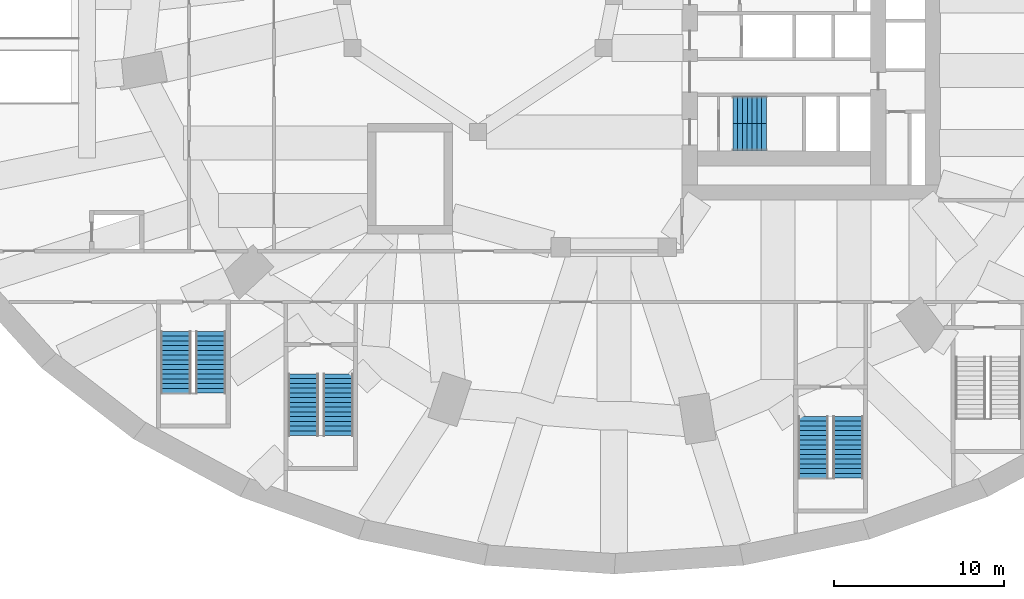
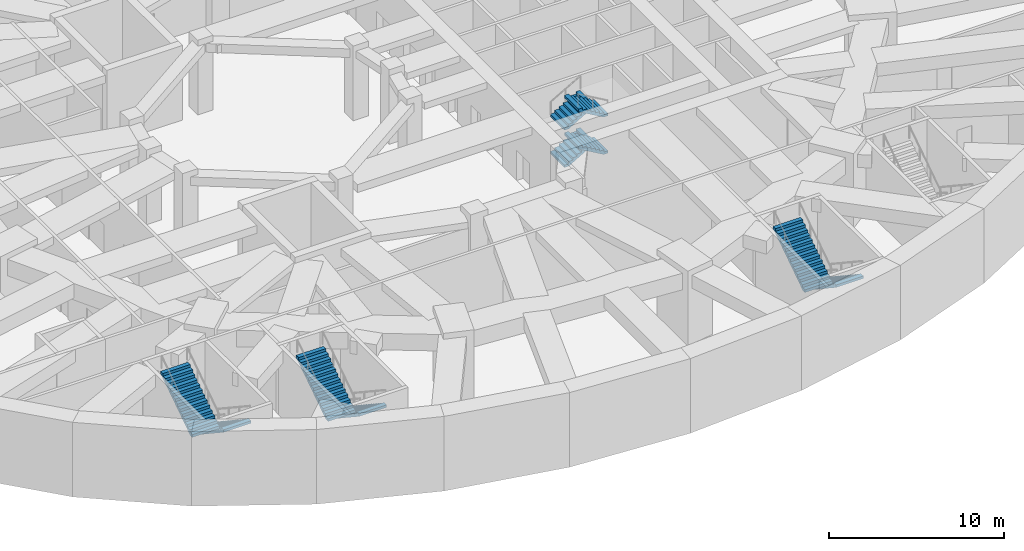
# One storey, part 9 of 14: 10 stair flights, 4 elements without a shape of their own.
"""IFC4 building model written with IfcOpenShell, lengths in metres."""

from ifc_helpers import new_model, si_unit, direction, frame, origin, place, context, subcontext, project, spatial, polyline, outline, extrude, material, type_object, element, aggregate, save


model = new_model("IFC4")

# Units and contexts
model_context = context("Model", 3, precision=1e-05, world=origin(), true_north=direction((0.0, 1.0)))
body_context = subcontext(model_context, "Body", "Model", "MODEL_VIEW")
ifc_project = project(units=[si_unit("LENGTHUNIT", "METRE"), si_unit("AREAUNIT", "SQUARE_METRE"), si_unit("VOLUMEUNIT", "CUBIC_METRE"), si_unit("PLANEANGLEUNIT", "RADIAN"), si_unit("MASSUNIT", "GRAM", prefix="KILO")], contexts=[model_context])

# Site, building, storey
site_placement = place(None, origin())
site = spatial("IfcSite", under=ifc_project, at=site_placement, CompositionType="ELEMENT")
building_placement = place(site_placement, origin())
building = spatial("IfcBuilding", under=site, at=building_placement, Name="Taillehof Tower", CompositionType="ELEMENT")
storey_placement = place(building_placement, frame((0.0, 0.0, -5.199951171875)))
storey = spatial("IfcBuildingStorey", under=building, at=storey_placement, Name="B1", CompositionType="ELEMENT", Elevation=-5.199951171875)

# Stair, stair flights
ifc_material_1 = material(Name="Concrete C40/50", Category="concrete")
stair_type_1 = type_object("IfcStairType", Name="Exit stair half-turn", PredefinedType="HALF_TURN_STAIR", material=ifc_material_1)
stair_1_placement = place(storey_placement, origin())
stair_1 = element("IfcStair", 1, at=stair_1_placement, inside=storey, type_object=stair_type_1, Name="Exit stair S2", PredefinedType="HALF_TURN_STAIR")
ifc_material_2 = material(Name="Concrete C40/50", Category="concrete")
stair_flight_type_1 = type_object("IfcStairFlightType", Name="Stair flight 1600 riser 162.5 going 280", PredefinedType="STRAIGHT", material=ifc_material_2)
stair_flight_1_placement = place(storey_placement, frame((7.0, -6.699951171875, 0.0), z_axis=(0.0, 0.0, 1.0), x_axis=(1.0, 0.0, 0.0)))
stair_flight_1 = element("IfcStairFlight", 2, at=stair_flight_1_placement, type_object=stair_flight_type_1, Name="S2 flight 1", NumberOfRisers=8, NumberOfTreads=7, PredefinedType="STRAIGHT", RiserHeight=0.1625, TreadLength=0.28, context=body_context, shape_type="SweptSolid", body=[
    extrude(outline(polyline([(0.0, 0.0), (0.0, 0.006591796875), (0.0, 0.012939453125), (0.0, 0.01953125), (0.0, 0.02587890625), (0.0, 0.032470703125), (0.0, 0.0390625), (0.0, 0.04541015625), (0.0, 0.052001953125), (0.0, 0.05859375), (0.0, 0.06494140625), (0.0, 0.071533203125), (0.0, 0.077880859375), (0.0, 0.08447265625), (0.0, 0.091064453125), (0.0, 0.097412109375), (0.0, 0.10400390625), (0.0, 0.110595703125), (0.0, 0.116943359375), (0.0, 0.12353515625), (0.0, 0.1298828125), (0.0, 0.136474609375), (0.0, 0.14306640625), (0.0, 0.1494140625), (0.0, 0.156005859375), (0.0, 0.16259765625), (0.280029296875, 0.16259765625), (0.280029296875, 0.324951171875), (0.56005859375, 0.324951171875), (0.56005859375, 0.487548828125), (0.840087890625, 0.487548828125), (0.840087890625, 0.64990234375), (1.1201171875, 0.64990234375), (1.1201171875, 0.8125), (1.39990234375, 0.8125), (1.39990234375, 0.97509765625), (1.679931640625, 0.97509765625), (1.679931640625, 1.137451171875), (1.9599609375, 1.137451171875), (1.9599609375, 1.130615234375), (1.9599609375, 1.12353515625), (1.9599609375, 1.11669921875), (1.9599609375, 1.10986328125), (1.9599609375, 1.102783203125), (1.9599609375, 1.095947265625), (1.9599609375, 1.0888671875), (1.9599609375, 1.08203125), (1.9599609375, 1.0751953125), (1.9599609375, 1.068115234375), (1.9599609375, 1.061279296875), (1.9599609375, 1.05419921875), (1.9599609375, 1.04736328125), (1.9599609375, 1.04052734375), (1.9599609375, 1.033447265625), (1.9599609375, 1.026611328125), (1.9599609375, 1.01953125), (1.9599609375, 1.0126953125), (1.9599609375, 1.005859375), (1.9599609375, 0.998779296875), (1.9599609375, 0.991943359375), (1.9599609375, 0.98486328125), (1.9599609375, 0.97802734375), (1.9599609375, 0.97119140625), (1.9599609375, 0.964111328125), (0.298583984375, 0.0), (0.0, 0.0)])), frame((0.0, 0.800048828125, 0.0), z_axis=(0.0, -1.0, 0.0), x_axis=(1.0, 0.0, 0.0)), (0.0, 0.0, 1.0), 1.6),
])
stair_flight_2_placement = place(storey_placement, frame((8.9599609375, -8.300048828125, 1.300048828125), z_axis=(0.0, 0.0, 1.0), x_axis=(-1.0, 0.0, 0.0)))
stair_flight_2 = element("IfcStairFlight", 3, at=stair_flight_2_placement, type_object=stair_flight_type_1, Name="S2 flight 2", NumberOfRisers=8, NumberOfTreads=7, PredefinedType="STRAIGHT", RiserHeight=0.1625, TreadLength=0.28, context=body_context, shape_type="SweptSolid", body=[
    extrude(outline(polyline([(0.0, 0.0), (0.0, 0.006591796875), (0.0, 0.012939453125), (0.0, 0.01953125), (0.0, 0.02587890625), (0.0, 0.032470703125), (0.0, 0.0390625), (0.0, 0.04541015625), (0.0, 0.052001953125), (0.0, 0.05859375), (0.0, 0.06494140625), (0.0, 0.071533203125), (0.0, 0.077880859375), (0.0, 0.08447265625), (0.0, 0.091064453125), (0.0, 0.097412109375), (0.0, 0.10400390625), (0.0, 0.110595703125), (0.0, 0.116943359375), (0.0, 0.12353515625), (0.0, 0.1298828125), (0.0, 0.136474609375), (0.0, 0.14306640625), (0.0, 0.1494140625), (0.0, 0.156005859375), (0.0, 0.16259765625), (0.280029296875, 0.16259765625), (0.280029296875, 0.324951171875), (0.56005859375, 0.324951171875), (0.56005859375, 0.487548828125), (0.840087890625, 0.487548828125), (0.840087890625, 0.64990234375), (1.1201171875, 0.64990234375), (1.1201171875, 0.8125), (1.39990234375, 0.8125), (1.39990234375, 0.97509765625), (1.679931640625, 0.97509765625), (1.679931640625, 1.137451171875), (1.9599609375, 1.137451171875), (1.9599609375, 1.130615234375), (1.9599609375, 1.12353515625), (1.9599609375, 1.11669921875), (1.9599609375, 1.10986328125), (1.9599609375, 1.102783203125), (1.9599609375, 1.095947265625), (1.9599609375, 1.0888671875), (1.9599609375, 1.08203125), (1.9599609375, 1.0751953125), (1.9599609375, 1.068115234375), (1.9599609375, 1.061279296875), (1.9599609375, 1.05419921875), (1.9599609375, 1.04736328125), (1.9599609375, 1.04052734375), (1.9599609375, 1.033447265625), (1.9599609375, 1.026611328125), (1.9599609375, 1.01953125), (1.9599609375, 1.0126953125), (1.9599609375, 1.005859375), (1.9599609375, 0.998779296875), (1.9599609375, 0.991943359375), (1.9599609375, 0.98486328125), (1.9599609375, 0.97802734375), (1.9599609375, 0.97119140625), (1.9599609375, 0.964111328125), (0.298583984375, 0.0), (0.0, 0.0)])), frame((0.0, 0.800048828125, 0.0), z_axis=(0.0, -1.0, 0.0), x_axis=(1.0, 0.0, 0.0)), (0.0, 0.0, 1.0), 1.6),
])
stair_flight_3_placement = place(storey_placement, frame((7.0, -6.699951171875, 2.599853515625), z_axis=(0.0, 0.0, 1.0), x_axis=(1.0, 0.0, 0.0)))
stair_flight_3 = element("IfcStairFlight", 4, at=stair_flight_3_placement, type_object=stair_flight_type_1, Name="S2 flight 3", NumberOfRisers=8, NumberOfTreads=7, PredefinedType="STRAIGHT", RiserHeight=0.1625, TreadLength=0.28, context=body_context, shape_type="SweptSolid", body=[
    extrude(outline(polyline([(0.0, 0.0), (0.0, 0.006591796875), (0.0, 0.012939453125), (0.0, 0.01953125), (0.0, 0.02587890625), (0.0, 0.032470703125), (0.0, 0.0390625), (0.0, 0.04541015625), (0.0, 0.052001953125), (0.0, 0.05859375), (0.0, 0.06494140625), (0.0, 0.071533203125), (0.0, 0.077880859375), (0.0, 0.08447265625), (0.0, 0.091064453125), (0.0, 0.097412109375), (0.0, 0.10400390625), (0.0, 0.110595703125), (0.0, 0.116943359375), (0.0, 0.12353515625), (0.0, 0.1298828125), (0.0, 0.136474609375), (0.0, 0.14306640625), (0.0, 0.1494140625), (0.0, 0.156005859375), (0.0, 0.16259765625), (0.280029296875, 0.16259765625), (0.280029296875, 0.324951171875), (0.56005859375, 0.324951171875), (0.56005859375, 0.487548828125), (0.840087890625, 0.487548828125), (0.840087890625, 0.64990234375), (1.1201171875, 0.64990234375), (1.1201171875, 0.8125), (1.39990234375, 0.8125), (1.39990234375, 0.97509765625), (1.679931640625, 0.97509765625), (1.679931640625, 1.137451171875), (1.9599609375, 1.137451171875), (1.9599609375, 1.130615234375), (1.9599609375, 1.12353515625), (1.9599609375, 1.11669921875), (1.9599609375, 1.10986328125), (1.9599609375, 1.102783203125), (1.9599609375, 1.095947265625), (1.9599609375, 1.0888671875), (1.9599609375, 1.08203125), (1.9599609375, 1.0751953125), (1.9599609375, 1.068115234375), (1.9599609375, 1.061279296875), (1.9599609375, 1.05419921875), (1.9599609375, 1.04736328125), (1.9599609375, 1.04052734375), (1.9599609375, 1.033447265625), (1.9599609375, 1.026611328125), (1.9599609375, 1.01953125), (1.9599609375, 1.0126953125), (1.9599609375, 1.005859375), (1.9599609375, 0.998779296875), (1.9599609375, 0.991943359375), (1.9599609375, 0.98486328125), (1.9599609375, 0.97802734375), (1.9599609375, 0.97119140625), (1.9599609375, 0.964111328125), (0.298583984375, 0.0), (0.0, 0.0)])), frame((0.0, 0.800048828125, 0.0), z_axis=(0.0, -1.0, 0.0), x_axis=(1.0, 0.0, 0.0)), (0.0, 0.0, 1.0), 1.6),
])
stair_flight_4_placement = place(storey_placement, frame((8.9599609375, -8.300048828125, 3.89990234375), z_axis=(0.0, 0.0, 1.0), x_axis=(-1.0, 0.0, 0.0)))
stair_flight_4 = element("IfcStairFlight", 5, at=stair_flight_4_placement, type_object=stair_flight_type_1, Name="S2 flight 4", NumberOfRisers=8, NumberOfTreads=7, PredefinedType="STRAIGHT", RiserHeight=0.1625, TreadLength=0.28, context=body_context, shape_type="SweptSolid", body=[
    extrude(outline(polyline([(0.0, 0.0), (0.0, 0.006591796875), (0.0, 0.012939453125), (0.0, 0.01953125), (0.0, 0.02587890625), (0.0, 0.032470703125), (0.0, 0.0390625), (0.0, 0.04541015625), (0.0, 0.052001953125), (0.0, 0.05859375), (0.0, 0.06494140625), (0.0, 0.071533203125), (0.0, 0.077880859375), (0.0, 0.08447265625), (0.0, 0.091064453125), (0.0, 0.097412109375), (0.0, 0.10400390625), (0.0, 0.110595703125), (0.0, 0.116943359375), (0.0, 0.12353515625), (0.0, 0.1298828125), (0.0, 0.136474609375), (0.0, 0.14306640625), (0.0, 0.1494140625), (0.0, 0.156005859375), (0.0, 0.16259765625), (0.280029296875, 0.16259765625), (0.280029296875, 0.324951171875), (0.56005859375, 0.324951171875), (0.56005859375, 0.487548828125), (0.840087890625, 0.487548828125), (0.840087890625, 0.64990234375), (1.1201171875, 0.64990234375), (1.1201171875, 0.8125), (1.39990234375, 0.8125), (1.39990234375, 0.97509765625), (1.679931640625, 0.97509765625), (1.679931640625, 1.137451171875), (1.9599609375, 1.137451171875), (1.9599609375, 1.130615234375), (1.9599609375, 1.12353515625), (1.9599609375, 1.11669921875), (1.9599609375, 1.10986328125), (1.9599609375, 1.102783203125), (1.9599609375, 1.095947265625), (1.9599609375, 1.0888671875), (1.9599609375, 1.08203125), (1.9599609375, 1.0751953125), (1.9599609375, 1.068115234375), (1.9599609375, 1.061279296875), (1.9599609375, 1.05419921875), (1.9599609375, 1.04736328125), (1.9599609375, 1.04052734375), (1.9599609375, 1.033447265625), (1.9599609375, 1.026611328125), (1.9599609375, 1.01953125), (1.9599609375, 1.0126953125), (1.9599609375, 1.005859375), (1.9599609375, 0.998779296875), (1.9599609375, 0.991943359375), (1.9599609375, 0.98486328125), (1.9599609375, 0.97802734375), (1.9599609375, 0.97119140625), (1.9599609375, 0.964111328125), (0.298583984375, 0.0), (0.0, 0.0)])), frame((0.0, 0.800048828125, 0.0), z_axis=(0.0, -1.0, 0.0), x_axis=(1.0, 0.0, 0.0)), (0.0, 0.0, 1.0), 1.6),
])
aggregate(stair_1, [stair_flight_1, stair_flight_2, stair_flight_3, stair_flight_4])

ifc_material_3 = material(Name="Concrete C30/37", Category="concrete")
stair_type_2 = type_object("IfcStairType", Name="Escape stair 1800 mm", PredefinedType="HALF_TURN_STAIR", material=ifc_material_3)
stair_2_placement = place(storey_placement, origin())
stair_2 = element("IfcStair", 6, at=stair_2_placement, inside=storey, type_object=stair_type_2, Name="Escape stair ES2", PredefinedType="HALF_TURN_STAIR")
ifc_material_4 = material(Name="Concrete C30/37", Category="concrete")
stair_flight_type_2 = type_object("IfcStairFlightType", Name="Stair flight 1800 mm", PredefinedType="STRAIGHT", material=ifc_material_4)
stair_flight_5_placement = place(storey_placement, frame((-23.72509765625, -19.72509765625, 0.0), z_axis=(0.0, 0.0, 1.0), x_axis=(0.0, -1.0, 0.0)))
stair_flight_5 = element("IfcStairFlight", 7, at=stair_flight_5_placement, type_object=stair_flight_type_2, Name="ES2 flight 1", NumberOfRisers=14, NumberOfTreads=13, PredefinedType="STRAIGHT", RiserHeight=0.185714286, TreadLength=0.28, context=body_context, shape_type="SweptSolid", body=[
    extrude(outline(polyline([(0.0, 0.0), (0.0, 0.00439453125), (0.0, 0.008544921875), (0.0, 0.012939453125), (0.0, 0.017333984375), (0.0, 0.021484375), (0.0, 0.02587890625), (0.0, 0.0302734375), (0.0, 0.03466796875), (0.0, 0.038818359375), (0.0, 0.043212890625), (0.0, 0.047607421875), (0.0, 0.0517578125), (0.0, 0.05615234375), (0.0, 0.060546875), (0.0, 0.064697265625), (0.0, 0.069091796875), (0.0, 0.073486328125), (0.0, 0.07763671875), (0.0, 0.08203125), (0.0, 0.08642578125), (0.0, 0.090576171875), (0.0, 0.094970703125), (0.0, 0.099365234375), (0.0, 0.103759765625), (0.0, 0.10791015625), (0.0, 0.1123046875), (0.0, 0.11669921875), (0.0, 0.120849609375), (0.0, 0.125244140625), (0.0, 0.129638671875), (0.0, 0.1337890625), (0.0, 0.13818359375), (0.0, 0.142578125), (0.0, 0.146728515625), (0.0, 0.151123046875), (0.0, 0.155517578125), (0.0, 0.159912109375), (0.0, 0.1640625), (0.0, 0.16845703125), (0.0, 0.1728515625), (0.0, 0.177001953125), (0.0, 0.181396484375), (0.0, 0.185791015625), (0.280029296875, 0.185791015625), (0.280029296875, 0.371337890625), (0.56005859375, 0.371337890625), (0.56005859375, 0.55712890625), (0.840087890625, 0.55712890625), (0.840087890625, 0.742919921875), (1.1201171875, 0.742919921875), (1.1201171875, 0.928466796875), (1.39990234375, 0.928466796875), (1.39990234375, 1.1142578125), (1.679931640625, 1.1142578125), (1.679931640625, 1.300048828125), (1.9599609375, 1.300048828125), (1.9599609375, 1.485595703125), (2.239990234375, 1.485595703125), (2.239990234375, 1.67138671875), (2.52001953125, 1.67138671875), (2.52001953125, 1.857177734375), (2.800048828125, 1.857177734375), (2.800048828125, 2.04296875), (3.080078125, 2.04296875), (3.080078125, 2.228515625), (3.360107421875, 2.228515625), (3.360107421875, 2.414306640625), (3.639892578125, 2.414306640625), (3.639892578125, 2.41015625), (3.639892578125, 2.406005859375), (3.639892578125, 2.40185546875), (3.639892578125, 2.3974609375), (3.639892578125, 2.393310546875), (3.639892578125, 2.38916015625), (3.639892578125, 2.385009765625), (3.639892578125, 2.380859375), (3.639892578125, 2.376708984375), (3.639892578125, 2.37255859375), (3.639892578125, 2.3681640625), (3.639892578125, 2.364013671875), (3.639892578125, 2.35986328125), (3.639892578125, 2.355712890625), (3.639892578125, 2.3515625), (3.639892578125, 2.347412109375), (3.639892578125, 2.34326171875), (3.639892578125, 2.3388671875), (3.639892578125, 2.334716796875), (3.639892578125, 2.33056640625), (3.639892578125, 2.326416015625), (3.639892578125, 2.322265625), (3.639892578125, 2.318115234375), (3.639892578125, 2.31396484375), (3.639892578125, 2.309814453125), (3.639892578125, 2.305419921875), (3.639892578125, 2.30126953125), (3.639892578125, 2.297119140625), (3.639892578125, 2.29296875), (3.639892578125, 2.288818359375), (3.639892578125, 2.28466796875), (3.639892578125, 2.280517578125), (3.639892578125, 2.276123046875), (3.639892578125, 2.27197265625), (3.639892578125, 2.267822265625), (3.639892578125, 2.263671875), (3.639892578125, 2.259521484375), (3.639892578125, 2.25537109375), (3.639892578125, 2.251220703125), (3.639892578125, 2.2470703125), (3.639892578125, 2.24267578125), (3.639892578125, 2.238525390625), (3.639892578125, 2.234375), (0.271240234375, 0.0), (0.0, 0.0)])), frame((0.0, 0.89990234375, 0.0), z_axis=(0.0, -1.0, 0.0), x_axis=(1.0, 0.0, 0.0)), (0.0, 0.0, 1.0), 1.8),
])
stair_flight_6_placement = place(storey_placement, frame((-25.77490234375, -23.364990234375, 2.599853515625), z_axis=(0.0, 0.0, 1.0), x_axis=(0.0, 1.0, 0.0)))
stair_flight_6 = element("IfcStairFlight", 8, at=stair_flight_6_placement, type_object=stair_flight_type_2, Name="ES2 flight 2", NumberOfRisers=14, NumberOfTreads=13, PredefinedType="STRAIGHT", RiserHeight=0.185714286, TreadLength=0.28, context=body_context, shape_type="SweptSolid", body=[
    extrude(outline(polyline([(0.0, 0.0), (0.0, 0.00439453125), (0.0, 0.008544921875), (0.0, 0.012939453125), (0.0, 0.017333984375), (0.0, 0.021484375), (0.0, 0.02587890625), (0.0, 0.0302734375), (0.0, 0.03466796875), (0.0, 0.038818359375), (0.0, 0.043212890625), (0.0, 0.047607421875), (0.0, 0.0517578125), (0.0, 0.05615234375), (0.0, 0.060546875), (0.0, 0.064697265625), (0.0, 0.069091796875), (0.0, 0.073486328125), (0.0, 0.07763671875), (0.0, 0.08203125), (0.0, 0.08642578125), (0.0, 0.090576171875), (0.0, 0.094970703125), (0.0, 0.099365234375), (0.0, 0.103759765625), (0.0, 0.10791015625), (0.0, 0.1123046875), (0.0, 0.11669921875), (0.0, 0.120849609375), (0.0, 0.125244140625), (0.0, 0.129638671875), (0.0, 0.1337890625), (0.0, 0.13818359375), (0.0, 0.142578125), (0.0, 0.146728515625), (0.0, 0.151123046875), (0.0, 0.155517578125), (0.0, 0.159912109375), (0.0, 0.1640625), (0.0, 0.16845703125), (0.0, 0.1728515625), (0.0, 0.177001953125), (0.0, 0.181396484375), (0.0, 0.185791015625), (0.280029296875, 0.185791015625), (0.280029296875, 0.371337890625), (0.56005859375, 0.371337890625), (0.56005859375, 0.55712890625), (0.840087890625, 0.55712890625), (0.840087890625, 0.742919921875), (1.1201171875, 0.742919921875), (1.1201171875, 0.928466796875), (1.39990234375, 0.928466796875), (1.39990234375, 1.1142578125), (1.679931640625, 1.1142578125), (1.679931640625, 1.300048828125), (1.9599609375, 1.300048828125), (1.9599609375, 1.485595703125), (2.239990234375, 1.485595703125), (2.239990234375, 1.67138671875), (2.52001953125, 1.67138671875), (2.52001953125, 1.857177734375), (2.800048828125, 1.857177734375), (2.800048828125, 2.04296875), (3.080078125, 2.04296875), (3.080078125, 2.228515625), (3.360107421875, 2.228515625), (3.360107421875, 2.414306640625), (3.639892578125, 2.414306640625), (3.639892578125, 2.41015625), (3.639892578125, 2.406005859375), (3.639892578125, 2.40185546875), (3.639892578125, 2.3974609375), (3.639892578125, 2.393310546875), (3.639892578125, 2.38916015625), (3.639892578125, 2.385009765625), (3.639892578125, 2.380859375), (3.639892578125, 2.376708984375), (3.639892578125, 2.37255859375), (3.639892578125, 2.3681640625), (3.639892578125, 2.364013671875), (3.639892578125, 2.35986328125), (3.639892578125, 2.355712890625), (3.639892578125, 2.3515625), (3.639892578125, 2.347412109375), (3.639892578125, 2.34326171875), (3.639892578125, 2.3388671875), (3.639892578125, 2.334716796875), (3.639892578125, 2.33056640625), (3.639892578125, 2.326416015625), (3.639892578125, 2.322265625), (3.639892578125, 2.318115234375), (3.639892578125, 2.31396484375), (3.639892578125, 2.309814453125), (3.639892578125, 2.305419921875), (3.639892578125, 2.30126953125), (3.639892578125, 2.297119140625), (3.639892578125, 2.29296875), (3.639892578125, 2.288818359375), (3.639892578125, 2.28466796875), (3.639892578125, 2.280517578125), (3.639892578125, 2.276123046875), (3.639892578125, 2.27197265625), (3.639892578125, 2.267822265625), (3.639892578125, 2.263671875), (3.639892578125, 2.259521484375), (3.639892578125, 2.25537109375), (3.639892578125, 2.251220703125), (3.639892578125, 2.2470703125), (3.639892578125, 2.24267578125), (3.639892578125, 2.238525390625), (3.639892578125, 2.234375), (0.271240234375, 0.0), (0.0, 0.0)])), frame((0.0, 0.89990234375, 0.0), z_axis=(0.0, -1.0, 0.0), x_axis=(1.0, 0.0, 0.0)), (0.0, 0.0, 1.0), 1.8),
])
aggregate(stair_2, [stair_flight_5, stair_flight_6])

stair_3_placement = place(storey_placement, origin())
stair_3 = element("IfcStair", 9, at=stair_3_placement, inside=storey, type_object=stair_type_2, Name="Escape stair ES6", PredefinedType="HALF_TURN_STAIR")
stair_flight_7_placement = place(storey_placement, frame((13.77490234375, -24.72509765625, 0.0), z_axis=(0.0, 0.0, 1.0), x_axis=(0.0, -1.0, 0.0)))
stair_flight_7 = element("IfcStairFlight", 10, at=stair_flight_7_placement, type_object=stair_flight_type_2, Name="ES6 flight 1", NumberOfRisers=14, NumberOfTreads=13, PredefinedType="STRAIGHT", RiserHeight=0.185714286, TreadLength=0.28, context=body_context, shape_type="SweptSolid", body=[
    extrude(outline(polyline([(0.0, 0.0), (0.0, 0.00439453125), (0.0, 0.008544921875), (0.0, 0.012939453125), (0.0, 0.017333984375), (0.0, 0.021484375), (0.0, 0.02587890625), (0.0, 0.0302734375), (0.0, 0.03466796875), (0.0, 0.038818359375), (0.0, 0.043212890625), (0.0, 0.047607421875), (0.0, 0.0517578125), (0.0, 0.05615234375), (0.0, 0.060546875), (0.0, 0.064697265625), (0.0, 0.069091796875), (0.0, 0.073486328125), (0.0, 0.07763671875), (0.0, 0.08203125), (0.0, 0.08642578125), (0.0, 0.090576171875), (0.0, 0.094970703125), (0.0, 0.099365234375), (0.0, 0.103759765625), (0.0, 0.10791015625), (0.0, 0.1123046875), (0.0, 0.11669921875), (0.0, 0.120849609375), (0.0, 0.125244140625), (0.0, 0.129638671875), (0.0, 0.1337890625), (0.0, 0.13818359375), (0.0, 0.142578125), (0.0, 0.146728515625), (0.0, 0.151123046875), (0.0, 0.155517578125), (0.0, 0.159912109375), (0.0, 0.1640625), (0.0, 0.16845703125), (0.0, 0.1728515625), (0.0, 0.177001953125), (0.0, 0.181396484375), (0.0, 0.185791015625), (0.280029296875, 0.185791015625), (0.280029296875, 0.371337890625), (0.56005859375, 0.371337890625), (0.56005859375, 0.55712890625), (0.840087890625, 0.55712890625), (0.840087890625, 0.742919921875), (1.1201171875, 0.742919921875), (1.1201171875, 0.928466796875), (1.39990234375, 0.928466796875), (1.39990234375, 1.1142578125), (1.679931640625, 1.1142578125), (1.679931640625, 1.300048828125), (1.9599609375, 1.300048828125), (1.9599609375, 1.485595703125), (2.239990234375, 1.485595703125), (2.239990234375, 1.67138671875), (2.52001953125, 1.67138671875), (2.52001953125, 1.857177734375), (2.800048828125, 1.857177734375), (2.800048828125, 2.04296875), (3.080078125, 2.04296875), (3.080078125, 2.228515625), (3.360107421875, 2.228515625), (3.360107421875, 2.414306640625), (3.639892578125, 2.414306640625), (3.639892578125, 2.41015625), (3.639892578125, 2.406005859375), (3.639892578125, 2.40185546875), (3.639892578125, 2.3974609375), (3.639892578125, 2.393310546875), (3.639892578125, 2.38916015625), (3.639892578125, 2.385009765625), (3.639892578125, 2.380859375), (3.639892578125, 2.376708984375), (3.639892578125, 2.37255859375), (3.639892578125, 2.3681640625), (3.639892578125, 2.364013671875), (3.639892578125, 2.35986328125), (3.639892578125, 2.355712890625), (3.639892578125, 2.3515625), (3.639892578125, 2.347412109375), (3.639892578125, 2.34326171875), (3.639892578125, 2.3388671875), (3.639892578125, 2.334716796875), (3.639892578125, 2.33056640625), (3.639892578125, 2.326416015625), (3.639892578125, 2.322265625), (3.639892578125, 2.318115234375), (3.639892578125, 2.31396484375), (3.639892578125, 2.309814453125), (3.639892578125, 2.305419921875), (3.639892578125, 2.30126953125), (3.639892578125, 2.297119140625), (3.639892578125, 2.29296875), (3.639892578125, 2.288818359375), (3.639892578125, 2.28466796875), (3.639892578125, 2.280517578125), (3.639892578125, 2.276123046875), (3.639892578125, 2.27197265625), (3.639892578125, 2.267822265625), (3.639892578125, 2.263671875), (3.639892578125, 2.259521484375), (3.639892578125, 2.25537109375), (3.639892578125, 2.251220703125), (3.639892578125, 2.2470703125), (3.639892578125, 2.24267578125), (3.639892578125, 2.238525390625), (3.639892578125, 2.234375), (0.271240234375, 0.0), (0.0, 0.0)])), frame((0.0, 0.89990234375, 0.0), z_axis=(0.0, -1.0, 0.0), x_axis=(1.0, 0.0, 0.0)), (0.0, 0.0, 1.0), 1.8),
])
stair_flight_8_placement = place(storey_placement, frame((11.72509765625, -28.364990234375, 2.599853515625), z_axis=(0.0, 0.0, 1.0), x_axis=(0.0, 1.0, 0.0)))
stair_flight_8 = element("IfcStairFlight", 11, at=stair_flight_8_placement, type_object=stair_flight_type_2, Name="ES6 flight 2", NumberOfRisers=14, NumberOfTreads=13, PredefinedType="STRAIGHT", RiserHeight=0.185714286, TreadLength=0.28, context=body_context, shape_type="SweptSolid", body=[
    extrude(outline(polyline([(0.0, 0.0), (0.0, 0.00439453125), (0.0, 0.008544921875), (0.0, 0.012939453125), (0.0, 0.017333984375), (0.0, 0.021484375), (0.0, 0.02587890625), (0.0, 0.0302734375), (0.0, 0.03466796875), (0.0, 0.038818359375), (0.0, 0.043212890625), (0.0, 0.047607421875), (0.0, 0.0517578125), (0.0, 0.05615234375), (0.0, 0.060546875), (0.0, 0.064697265625), (0.0, 0.069091796875), (0.0, 0.073486328125), (0.0, 0.07763671875), (0.0, 0.08203125), (0.0, 0.08642578125), (0.0, 0.090576171875), (0.0, 0.094970703125), (0.0, 0.099365234375), (0.0, 0.103759765625), (0.0, 0.10791015625), (0.0, 0.1123046875), (0.0, 0.11669921875), (0.0, 0.120849609375), (0.0, 0.125244140625), (0.0, 0.129638671875), (0.0, 0.1337890625), (0.0, 0.13818359375), (0.0, 0.142578125), (0.0, 0.146728515625), (0.0, 0.151123046875), (0.0, 0.155517578125), (0.0, 0.159912109375), (0.0, 0.1640625), (0.0, 0.16845703125), (0.0, 0.1728515625), (0.0, 0.177001953125), (0.0, 0.181396484375), (0.0, 0.185791015625), (0.280029296875, 0.185791015625), (0.280029296875, 0.371337890625), (0.56005859375, 0.371337890625), (0.56005859375, 0.55712890625), (0.840087890625, 0.55712890625), (0.840087890625, 0.742919921875), (1.1201171875, 0.742919921875), (1.1201171875, 0.928466796875), (1.39990234375, 0.928466796875), (1.39990234375, 1.1142578125), (1.679931640625, 1.1142578125), (1.679931640625, 1.300048828125), (1.9599609375, 1.300048828125), (1.9599609375, 1.485595703125), (2.239990234375, 1.485595703125), (2.239990234375, 1.67138671875), (2.52001953125, 1.67138671875), (2.52001953125, 1.857177734375), (2.800048828125, 1.857177734375), (2.800048828125, 2.04296875), (3.080078125, 2.04296875), (3.080078125, 2.228515625), (3.360107421875, 2.228515625), (3.360107421875, 2.414306640625), (3.639892578125, 2.414306640625), (3.639892578125, 2.41015625), (3.639892578125, 2.406005859375), (3.639892578125, 2.40185546875), (3.639892578125, 2.3974609375), (3.639892578125, 2.393310546875), (3.639892578125, 2.38916015625), (3.639892578125, 2.385009765625), (3.639892578125, 2.380859375), (3.639892578125, 2.376708984375), (3.639892578125, 2.37255859375), (3.639892578125, 2.3681640625), (3.639892578125, 2.364013671875), (3.639892578125, 2.35986328125), (3.639892578125, 2.355712890625), (3.639892578125, 2.3515625), (3.639892578125, 2.347412109375), (3.639892578125, 2.34326171875), (3.639892578125, 2.3388671875), (3.639892578125, 2.334716796875), (3.639892578125, 2.33056640625), (3.639892578125, 2.326416015625), (3.639892578125, 2.322265625), (3.639892578125, 2.318115234375), (3.639892578125, 2.31396484375), (3.639892578125, 2.309814453125), (3.639892578125, 2.305419921875), (3.639892578125, 2.30126953125), (3.639892578125, 2.297119140625), (3.639892578125, 2.29296875), (3.639892578125, 2.288818359375), (3.639892578125, 2.28466796875), (3.639892578125, 2.280517578125), (3.639892578125, 2.276123046875), (3.639892578125, 2.27197265625), (3.639892578125, 2.267822265625), (3.639892578125, 2.263671875), (3.639892578125, 2.259521484375), (3.639892578125, 2.25537109375), (3.639892578125, 2.251220703125), (3.639892578125, 2.2470703125), (3.639892578125, 2.24267578125), (3.639892578125, 2.238525390625), (3.639892578125, 2.234375), (0.271240234375, 0.0), (0.0, 0.0)])), frame((0.0, 0.89990234375, 0.0), z_axis=(0.0, -1.0, 0.0), x_axis=(1.0, 0.0, 0.0)), (0.0, 0.0, 1.0), 1.8),
])
aggregate(stair_3, [stair_flight_7, stair_flight_8])

stair_4_placement = place(storey_placement, origin())
stair_4 = element("IfcStair", 12, at=stair_4_placement, inside=storey, type_object=stair_type_2, Name="Escape stair ES8", PredefinedType="HALF_TURN_STAIR")
stair_flight_9_placement = place(storey_placement, frame((-16.22509765625, -22.22509765625, 0.0), z_axis=(0.0, 0.0, 1.0), x_axis=(0.0, -1.0, 0.0)))
stair_flight_9 = element("IfcStairFlight", 13, at=stair_flight_9_placement, type_object=stair_flight_type_2, Name="ES8 flight 1", NumberOfRisers=14, NumberOfTreads=13, PredefinedType="STRAIGHT", RiserHeight=0.185714286, TreadLength=0.28, context=body_context, shape_type="SweptSolid", body=[
    extrude(outline(polyline([(0.0, 0.0), (0.0, 0.00439453125), (0.0, 0.008544921875), (0.0, 0.012939453125), (0.0, 0.017333984375), (0.0, 0.021484375), (0.0, 0.02587890625), (0.0, 0.0302734375), (0.0, 0.03466796875), (0.0, 0.038818359375), (0.0, 0.043212890625), (0.0, 0.047607421875), (0.0, 0.0517578125), (0.0, 0.05615234375), (0.0, 0.060546875), (0.0, 0.064697265625), (0.0, 0.069091796875), (0.0, 0.073486328125), (0.0, 0.07763671875), (0.0, 0.08203125), (0.0, 0.08642578125), (0.0, 0.090576171875), (0.0, 0.094970703125), (0.0, 0.099365234375), (0.0, 0.103759765625), (0.0, 0.10791015625), (0.0, 0.1123046875), (0.0, 0.11669921875), (0.0, 0.120849609375), (0.0, 0.125244140625), (0.0, 0.129638671875), (0.0, 0.1337890625), (0.0, 0.13818359375), (0.0, 0.142578125), (0.0, 0.146728515625), (0.0, 0.151123046875), (0.0, 0.155517578125), (0.0, 0.159912109375), (0.0, 0.1640625), (0.0, 0.16845703125), (0.0, 0.1728515625), (0.0, 0.177001953125), (0.0, 0.181396484375), (0.0, 0.185791015625), (0.280029296875, 0.185791015625), (0.280029296875, 0.371337890625), (0.56005859375, 0.371337890625), (0.56005859375, 0.55712890625), (0.840087890625, 0.55712890625), (0.840087890625, 0.742919921875), (1.1201171875, 0.742919921875), (1.1201171875, 0.928466796875), (1.39990234375, 0.928466796875), (1.39990234375, 1.1142578125), (1.679931640625, 1.1142578125), (1.679931640625, 1.300048828125), (1.9599609375, 1.300048828125), (1.9599609375, 1.485595703125), (2.239990234375, 1.485595703125), (2.239990234375, 1.67138671875), (2.52001953125, 1.67138671875), (2.52001953125, 1.857177734375), (2.800048828125, 1.857177734375), (2.800048828125, 2.04296875), (3.080078125, 2.04296875), (3.080078125, 2.228515625), (3.360107421875, 2.228515625), (3.360107421875, 2.414306640625), (3.639892578125, 2.414306640625), (3.639892578125, 2.41015625), (3.639892578125, 2.406005859375), (3.639892578125, 2.40185546875), (3.639892578125, 2.3974609375), (3.639892578125, 2.393310546875), (3.639892578125, 2.38916015625), (3.639892578125, 2.385009765625), (3.639892578125, 2.380859375), (3.639892578125, 2.376708984375), (3.639892578125, 2.37255859375), (3.639892578125, 2.3681640625), (3.639892578125, 2.364013671875), (3.639892578125, 2.35986328125), (3.639892578125, 2.355712890625), (3.639892578125, 2.3515625), (3.639892578125, 2.347412109375), (3.639892578125, 2.34326171875), (3.639892578125, 2.3388671875), (3.639892578125, 2.334716796875), (3.639892578125, 2.33056640625), (3.639892578125, 2.326416015625), (3.639892578125, 2.322265625), (3.639892578125, 2.318115234375), (3.639892578125, 2.31396484375), (3.639892578125, 2.309814453125), (3.639892578125, 2.305419921875), (3.639892578125, 2.30126953125), (3.639892578125, 2.297119140625), (3.639892578125, 2.29296875), (3.639892578125, 2.288818359375), (3.639892578125, 2.28466796875), (3.639892578125, 2.280517578125), (3.639892578125, 2.276123046875), (3.639892578125, 2.27197265625), (3.639892578125, 2.267822265625), (3.639892578125, 2.263671875), (3.639892578125, 2.259521484375), (3.639892578125, 2.25537109375), (3.639892578125, 2.251220703125), (3.639892578125, 2.2470703125), (3.639892578125, 2.24267578125), (3.639892578125, 2.238525390625), (3.639892578125, 2.234375), (0.271240234375, 0.0), (0.0, 0.0)])), frame((0.0, 0.89990234375, 0.0), z_axis=(0.0, -1.0, 0.0), x_axis=(1.0, 0.0, 0.0)), (0.0, 0.0, 1.0), 1.8),
])
stair_flight_10_placement = place(storey_placement, frame((-18.27490234375, -25.864990234375, 2.599853515625), z_axis=(0.0, 0.0, 1.0), x_axis=(0.0, 1.0, 0.0)))
stair_flight_10 = element("IfcStairFlight", 14, at=stair_flight_10_placement, type_object=stair_flight_type_2, Name="ES8 flight 2", NumberOfRisers=14, NumberOfTreads=13, PredefinedType="STRAIGHT", RiserHeight=0.185714286, TreadLength=0.28, context=body_context, shape_type="SweptSolid", body=[
    extrude(outline(polyline([(0.0, 0.0), (0.0, 0.00439453125), (0.0, 0.008544921875), (0.0, 0.012939453125), (0.0, 0.017333984375), (0.0, 0.021484375), (0.0, 0.02587890625), (0.0, 0.0302734375), (0.0, 0.03466796875), (0.0, 0.038818359375), (0.0, 0.043212890625), (0.0, 0.047607421875), (0.0, 0.0517578125), (0.0, 0.05615234375), (0.0, 0.060546875), (0.0, 0.064697265625), (0.0, 0.069091796875), (0.0, 0.073486328125), (0.0, 0.07763671875), (0.0, 0.08203125), (0.0, 0.08642578125), (0.0, 0.090576171875), (0.0, 0.094970703125), (0.0, 0.099365234375), (0.0, 0.103759765625), (0.0, 0.10791015625), (0.0, 0.1123046875), (0.0, 0.11669921875), (0.0, 0.120849609375), (0.0, 0.125244140625), (0.0, 0.129638671875), (0.0, 0.1337890625), (0.0, 0.13818359375), (0.0, 0.142578125), (0.0, 0.146728515625), (0.0, 0.151123046875), (0.0, 0.155517578125), (0.0, 0.159912109375), (0.0, 0.1640625), (0.0, 0.16845703125), (0.0, 0.1728515625), (0.0, 0.177001953125), (0.0, 0.181396484375), (0.0, 0.185791015625), (0.280029296875, 0.185791015625), (0.280029296875, 0.371337890625), (0.56005859375, 0.371337890625), (0.56005859375, 0.55712890625), (0.840087890625, 0.55712890625), (0.840087890625, 0.742919921875), (1.1201171875, 0.742919921875), (1.1201171875, 0.928466796875), (1.39990234375, 0.928466796875), (1.39990234375, 1.1142578125), (1.679931640625, 1.1142578125), (1.679931640625, 1.300048828125), (1.9599609375, 1.300048828125), (1.9599609375, 1.485595703125), (2.239990234375, 1.485595703125), (2.239990234375, 1.67138671875), (2.52001953125, 1.67138671875), (2.52001953125, 1.857177734375), (2.800048828125, 1.857177734375), (2.800048828125, 2.04296875), (3.080078125, 2.04296875), (3.080078125, 2.228515625), (3.360107421875, 2.228515625), (3.360107421875, 2.414306640625), (3.639892578125, 2.414306640625), (3.639892578125, 2.41015625), (3.639892578125, 2.406005859375), (3.639892578125, 2.40185546875), (3.639892578125, 2.3974609375), (3.639892578125, 2.393310546875), (3.639892578125, 2.38916015625), (3.639892578125, 2.385009765625), (3.639892578125, 2.380859375), (3.639892578125, 2.376708984375), (3.639892578125, 2.37255859375), (3.639892578125, 2.3681640625), (3.639892578125, 2.364013671875), (3.639892578125, 2.35986328125), (3.639892578125, 2.355712890625), (3.639892578125, 2.3515625), (3.639892578125, 2.347412109375), (3.639892578125, 2.34326171875), (3.639892578125, 2.3388671875), (3.639892578125, 2.334716796875), (3.639892578125, 2.33056640625), (3.639892578125, 2.326416015625), (3.639892578125, 2.322265625), (3.639892578125, 2.318115234375), (3.639892578125, 2.31396484375), (3.639892578125, 2.309814453125), (3.639892578125, 2.305419921875), (3.639892578125, 2.30126953125), (3.639892578125, 2.297119140625), (3.639892578125, 2.29296875), (3.639892578125, 2.288818359375), (3.639892578125, 2.28466796875), (3.639892578125, 2.280517578125), (3.639892578125, 2.276123046875), (3.639892578125, 2.27197265625), (3.639892578125, 2.267822265625), (3.639892578125, 2.263671875), (3.639892578125, 2.259521484375), (3.639892578125, 2.25537109375), (3.639892578125, 2.251220703125), (3.639892578125, 2.2470703125), (3.639892578125, 2.24267578125), (3.639892578125, 2.238525390625), (3.639892578125, 2.234375), (0.271240234375, 0.0), (0.0, 0.0)])), frame((0.0, 0.89990234375, 0.0), z_axis=(0.0, -1.0, 0.0), x_axis=(1.0, 0.0, 0.0)), (0.0, 0.0, 1.0), 1.8),
])
aggregate(stair_4, [stair_flight_9, stair_flight_10])

save(model, "model.ifc")
